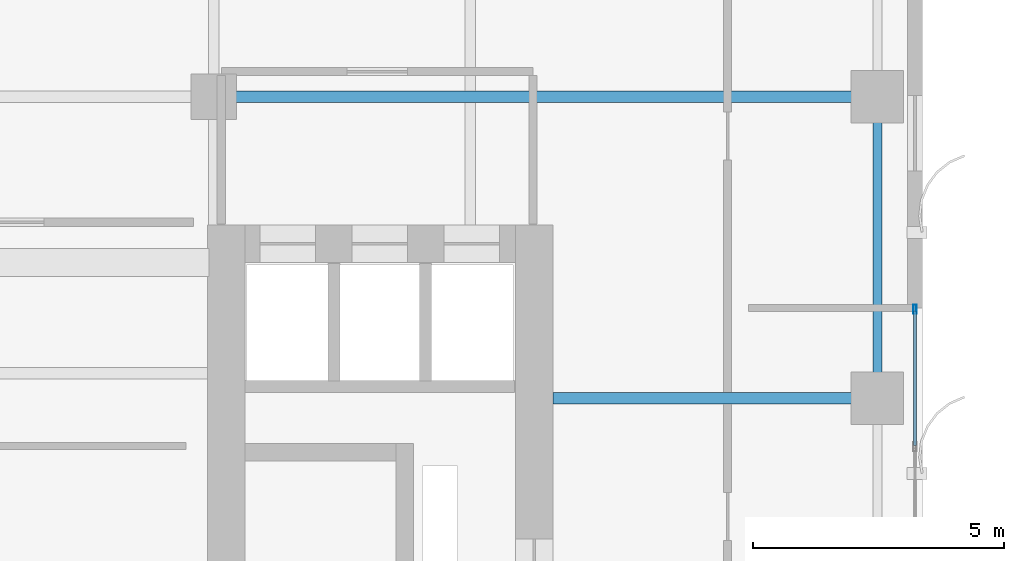
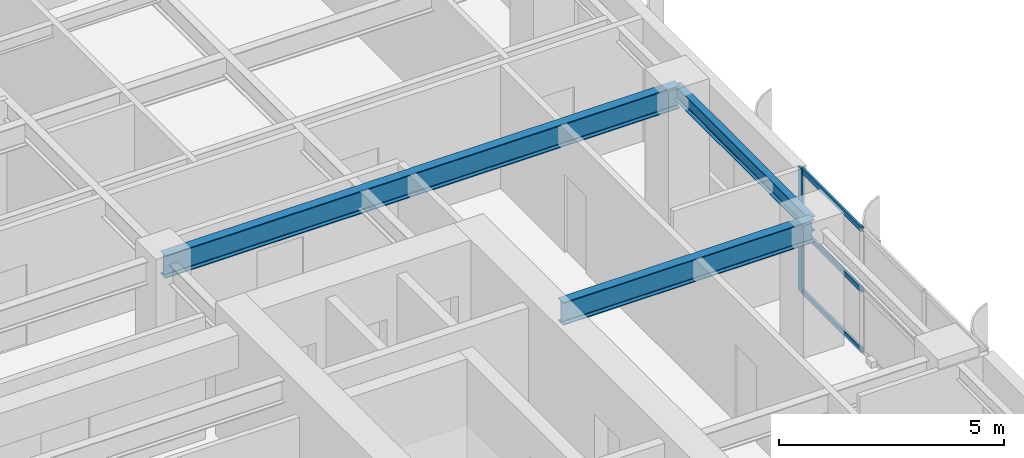
# One storey, part 8 of 21: 4 members, 3 beams, 1 element without a shape of its own.
"""IFC4 building model written with IfcOpenShell, lengths in metres."""

from ifc_helpers import new_model, si_unit, direction, frame, origin, origin_2d, place, context, subcontext, project, spatial, hollow_rectangle, i_section, extrude, source, transform, mapped, material, layer, layer_set, material_profile, profile_set, type_object, element, aggregate, save


model = new_model("IFC4")

# Units and contexts
model_context = context("Model", 3, precision=1e-05, world=origin(), true_north=direction((0.0, 1.0)))
body_context = subcontext(model_context, "Body", "Model", "MODEL_VIEW")
ifc_project = project(units=[si_unit("LENGTHUNIT", "METRE"), si_unit("AREAUNIT", "SQUARE_METRE"), si_unit("VOLUMEUNIT", "CUBIC_METRE"), si_unit("PLANEANGLEUNIT", "RADIAN"), si_unit("MASSUNIT", "GRAM", prefix="KILO")], contexts=[model_context])

# Site, building, storey
site_placement = place(None, origin())
site = spatial("IfcSite", under=ifc_project, at=site_placement, CompositionType="ELEMENT")
building_placement = place(site_placement, origin())
building = spatial("IfcBuilding", under=site, at=building_placement, Name="Khoralis Quay Care Tower", CompositionType="ELEMENT")
storey_placement = place(building_placement, frame((0.0, 0.0, 112.5)))
storey = spatial("IfcBuildingStorey", under=building, at=storey_placement, Name="L29", CompositionType="ELEMENT", Elevation=112.5)

# Beams
ifc_material_1 = material(Name="Steel S355", Category="steel")
ifc_material_profile_1 = material_profile(ifc_material_1, i_section(OverallWidth=0.179931640625, OverallDepth=0.39990234375, WebThickness=0.008544921875, FlangeThickness=0.013427734375, FilletRadius=0.02099609375, at=origin_2d()), Name="Steel S355")
ifc_profile_set_1 = profile_set([ifc_material_profile_1], Name="Steel S355")
beam_type_1 = type_object("IfcBeamType", Name="BM-IPE400", PredefinedType="SPANDREL", material=ifc_profile_set_1)
shared_shape_1 = source(origin(), body_context, "Body", "SweptSolid", [
    extrude(i_section(OverallWidth=0.179931640625, OverallDepth=0.39990234375, WebThickness=0.008544921875, FlangeThickness=0.013427734375, FilletRadius=0.02099609375, at=origin_2d()), origin(), (0.0, 0.0, 1.0), 6.0),
])
beam_1_placement = place(storey_placement, frame((44.10009765625, 24.0, 3.139892578125), z_axis=(0.0, 1.0, 0.0), x_axis=(-1.0, 0.0, 0.0)))
element("IfcBeam", 1, at=beam_1_placement, inside=storey, type_object=beam_type_1, Name="BM-TSP-L29-19", PredefinedType="SPANDREL", context=body_context, shape_type="MappedRepresentation", body=[
    mapped(shared_shape_1, transform((0.0, 0.0, 0.0), scale=1.0)),
])
ifc_material_profile_2 = material_profile(ifc_material_1, i_section(OverallWidth=0.22998046875, OverallDepth=0.616943359375, WebThickness=0.01318359375, FlangeThickness=0.022216796875, FilletRadius=0.01806640625, at=origin_2d()), Name="Steel S355")
ifc_profile_set_2 = profile_set([ifc_material_profile_2], Name="Steel S355")
beam_type_2 = type_object("IfcBeamType", Name="BM-W610X140", PredefinedType="BEAM", material=ifc_profile_set_2)
shared_shape_2 = source(origin(), body_context, "Body", "SweptSolid", [
    extrude(i_section(OverallWidth=0.22998046875, OverallDepth=0.616943359375, WebThickness=0.01318359375, FlangeThickness=0.022216796875, FilletRadius=0.01806640625, at=origin_2d()), origin(), (0.0, 0.0, 1.0), 13.2001953125),
])
beam_2_placement = place(storey_placement, frame((30.89990234375, 30.0, 3.031494140625), z_axis=(1.0, 0.0, 0.0), x_axis=(0.0, 1.0, 0.0)))
element("IfcBeam", 2, at=beam_2_placement, inside=storey, type_object=beam_type_2, Name="BM-TGXE-L29-300", PredefinedType="BEAM", context=body_context, shape_type="MappedRepresentation", body=[
    mapped(shared_shape_2, transform((0.0, 0.0, 0.0), scale=1.0)),
])
shared_shape_3 = source(origin(), body_context, "Body", "SweptSolid", [
    extrude(i_section(OverallWidth=0.22998046875, OverallDepth=0.616943359375, WebThickness=0.01318359375, FlangeThickness=0.022216796875, FilletRadius=0.01806640625, at=origin_2d()), origin(), (0.0, 0.0, 1.0), 6.4521484375),
])
beam_3_placement = place(storey_placement, frame((37.64794921875, 24.0, 3.031494140625), z_axis=(1.0, 0.0, 0.0), x_axis=(0.0, 1.0, 0.0)))
element("IfcBeam", 3, at=beam_3_placement, inside=storey, type_object=beam_type_2, Name="BM-TGXE-L29-240", PredefinedType="BEAM", context=body_context, shape_type="MappedRepresentation", body=[
    mapped(shared_shape_3, transform((0.0, 0.0, 0.0), scale=1.0)),
])

# Curtain wall, members
ifc_material_2 = material(Name="Pale anodised aluminium", Category="aluminium")
ifc_layer = layer(ifc_material_2, 0.169921875)
ifc_layer_set = layer_set([ifc_layer], Name="Pale anodised aluminium")
curtain_wall_type = type_object("IfcCurtainWallType", Name="CW-SYS-Z2", PredefinedType="NOTDEFINED", material=ifc_layer_set)
curtain_wall_placement = place(storey_placement, origin())
curtain_wall = element("IfcCurtainWall", 4, at=curtain_wall_placement, inside=storey, type_object=curtain_wall_type, Name="L29 Unitised Curtain Wall CW-L29-P1-E5", PredefinedType="NOTDEFINED")
ifc_material_profile_3 = material_profile(ifc_material_2, hollow_rectangle(XDim=0.06494140625, YDim=0.179931640625, WallThickness=0.00390625, at=origin_2d()), Name="Pale anodised aluminium")
ifc_profile_set_3 = profile_set([ifc_material_profile_3], Name="Pale anodised aluminium")
member_type_1 = type_object("IfcMemberType", Name="CW-MUL-180", PredefinedType="MULLION", material=ifc_profile_set_3)
shared_shape_4 = source(origin(), body_context, "Body", "SweptSolid", [
    extrude(hollow_rectangle(XDim=0.06494140625, YDim=0.179931640625, WallThickness=0.00390625, at=origin_2d()), origin(), (0.0, 0.0, 1.0), 3.340087890625),
])
member_1_placement = place(storey_placement, frame((44.85009765625, 25.77001953125, 0.0), z_axis=(0.0, 0.0, 1.0), x_axis=(-1.0, 0.0, 0.0)))
member_1 = element("IfcMember", 5, at=member_1_placement, type_object=member_type_1, Name="CW2 mullion 4", PredefinedType="MULLION", context=body_context, shape_type="MappedRepresentation", body=[
    mapped(shared_shape_4, transform((0.0, 0.0, 0.0), scale=1.0)),
])
ifc_material_profile_4 = material_profile(ifc_material_2, hollow_rectangle(XDim=0.06005859375, YDim=0.139892578125, WallThickness=0.00390625, at=origin_2d()), Name="Pale anodised aluminium")
ifc_profile_set_4 = profile_set([ifc_material_profile_4], Name="Pale anodised aluminium")
member_type_2 = type_object("IfcMemberType", Name="CW-TRN-140", PredefinedType="USERDEFINED", material=ifc_profile_set_4)
shared_shape_5 = source(origin(), body_context, "Body", "SweptSolid", [
    extrude(hollow_rectangle(XDim=0.06005859375, YDim=0.139892578125, WallThickness=0.00390625, at=origin_2d()), origin(), (0.0, 0.0, 1.0), 2.6767578125),
])
member_2_placement = place(storey_placement, frame((44.85009765625, 23.063232421875, 0.030029296875), z_axis=(0.0, 1.0, 0.0), x_axis=(-1.0, 0.0, 0.0)))
member_2 = element("IfcMember", 6, at=member_2_placement, type_object=member_type_2, Name="CW2 transom 3.1", ObjectType="TRANSOM", PredefinedType="USERDEFINED", context=body_context, shape_type="MappedRepresentation", body=[
    mapped(shared_shape_5, transform((0.0, 0.0, 0.0), scale=1.0)),
])
member_3_placement = place(storey_placement, frame((44.85009765625, 23.063232421875, 1.669921875), z_axis=(0.0, 1.0, 0.0), x_axis=(-1.0, 0.0, 0.0)))
member_3 = element("IfcMember", 7, at=member_3_placement, type_object=member_type_2, Name="CW2 transom 3.2", ObjectType="TRANSOM", PredefinedType="USERDEFINED", context=body_context, shape_type="MappedRepresentation", body=[
    mapped(shared_shape_5, transform((0.0, 0.0, 0.0), scale=1.0)),
])
member_4_placement = place(storey_placement, frame((44.85009765625, 23.063232421875, 3.31005859375), z_axis=(0.0, 1.0, 0.0), x_axis=(-1.0, 0.0, 0.0)))
member_4 = element("IfcMember", 8, at=member_4_placement, type_object=member_type_2, Name="CW2 transom 3.3", ObjectType="TRANSOM", PredefinedType="USERDEFINED", context=body_context, shape_type="MappedRepresentation", body=[
    mapped(shared_shape_5, transform((0.0, 0.0, 0.0), scale=1.0)),
])
aggregate(curtain_wall, [member_1, member_2, member_3, member_4])

save(model, "model.ifc")
